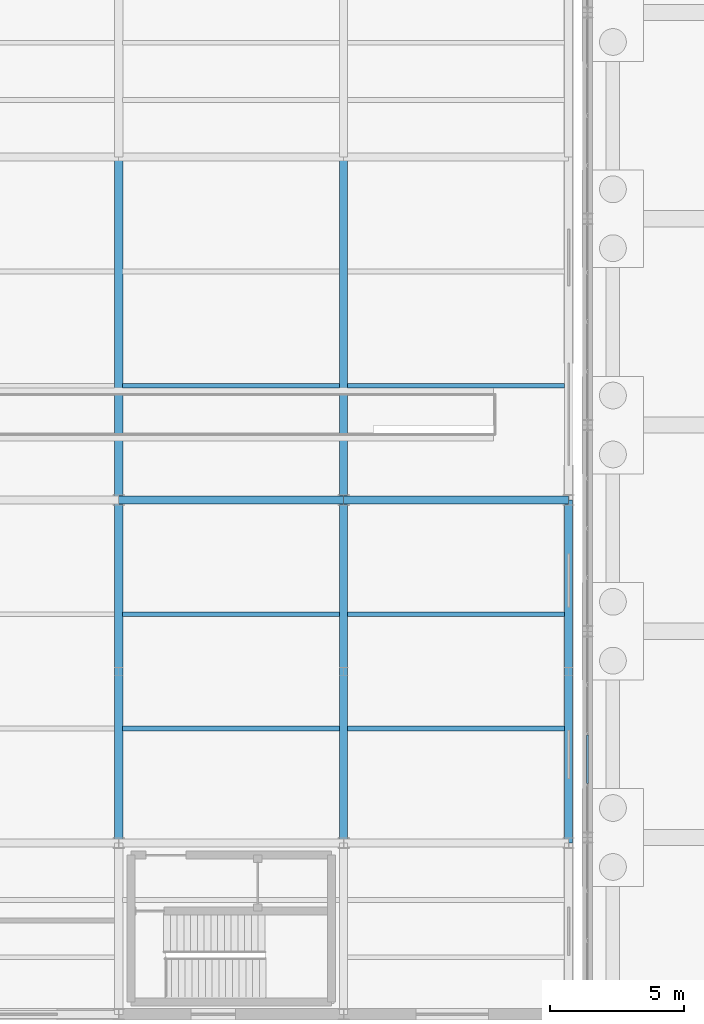
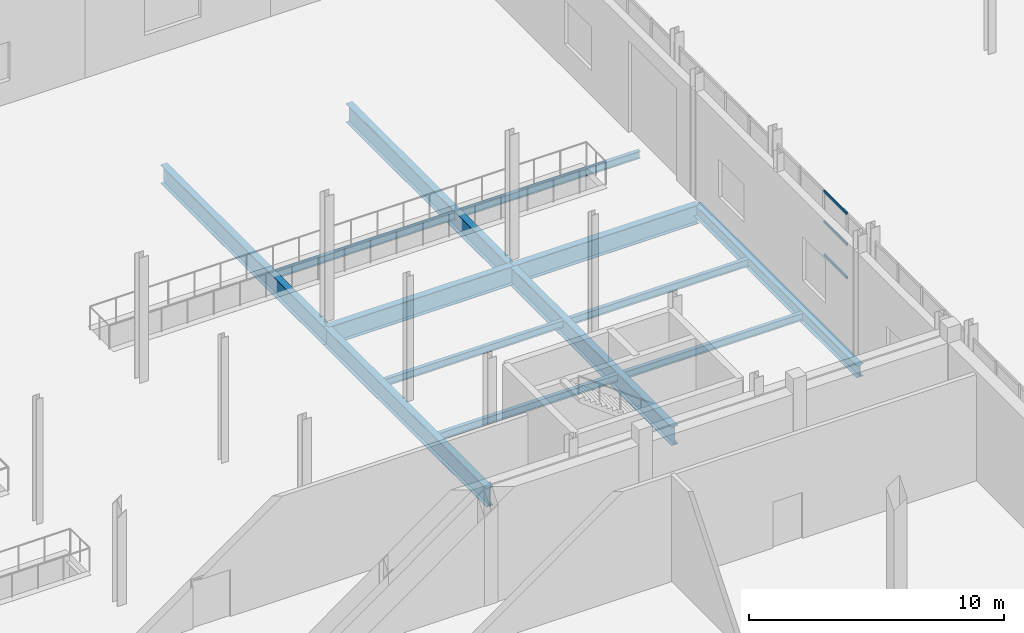
# One storey, part 76 of 139: 13 beams, 3 members, 1 element without a shape of its own.
"""IFC4 building model written with IfcOpenShell, lengths in metres."""

from ifc_helpers import new_model, si_unit, direction, frame, origin, origin_2d, place, context, subcontext, project, spatial, hollow_rectangle, i_section, extrude, material, material_profile, profile_set, type_object, element, aggregate, save


model = new_model("IFC4")

# Units and contexts
model_context = context("Model", 3, precision=1e-05, world=origin(), true_north=direction((0.0, 1.0)))
body_context = subcontext(model_context, "Body", "Model", "MODEL_VIEW")
ifc_project = project(units=[si_unit("LENGTHUNIT", "METRE"), si_unit("AREAUNIT", "SQUARE_METRE"), si_unit("VOLUMEUNIT", "CUBIC_METRE"), si_unit("PLANEANGLEUNIT", "RADIAN"), si_unit("MASSUNIT", "GRAM", prefix="KILO")], contexts=[model_context])

# Site, building, storey
site_placement = place(None, origin())
site = spatial("IfcSite", under=ifc_project, at=site_placement, CompositionType="ELEMENT")
building_placement = place(site_placement, origin())
building = spatial("IfcBuilding", under=site, at=building_placement, Name="Kazenagashi Tramway Depot", CompositionType="ELEMENT")
storey_placement = place(building_placement, origin())
storey = spatial("IfcBuildingStorey", under=building, at=storey_placement, Name="L01", CompositionType="ELEMENT", Elevation=0.0)

# Beams
ifc_material_1 = material(Name="Steel SN490B", Category="steel")
ifc_material_profile_1 = material_profile(ifc_material_1, i_section(OverallWidth=0.3, OverallDepth=0.9, WebThickness=0.016, FlangeThickness=0.028, at=origin_2d()), Name="H-900x300x16x28")
ifc_profile_set_1 = profile_set([ifc_material_profile_1], Name="Steel SN490B")
beam_type_1 = type_object("IfcBeamType", Name="G-01", PredefinedType="BEAM", material=ifc_profile_set_1)
for number, where, z_axis, x_axis, name in (
    (1, (128.8, 35.7, -0.8), (1.0, 0.0, 0.0), (0.0, 1.0, 0.0), "Beam G-01 BM-0775"),
    (2, (137.2, 35.7, -0.8), (1.0, 0.0, 0.0), (0.0, 1.0, 0.0), "Beam G-01 BM-0776"),
):
    element("IfcBeam", number, at=place(storey_placement, frame(where, z_axis=z_axis, x_axis=x_axis)), inside=storey, type_object=beam_type_1, Name=name, PredefinedType="BEAM", context=body_context, shape_type="SweptSolid", body=[
        extrude(i_section(OverallWidth=0.3, OverallDepth=0.9, WebThickness=0.016, FlangeThickness=0.028, at=origin_2d()), origin(), (0.0, 0.0, 1.0), 8.4),
    ])
for number, where, z_axis, x_axis, name in (
    (3, (128.8, 22.9, -0.8), (0.0, 1.0, 0.0), (-1.0, 0.0, 0.0), "Beam G-01 BM-0921"),
    (4, (128.8, 35.7, -0.8), (0.0, 1.0, 0.0), (-1.0, 0.0, 0.0), "Beam G-01 BM-0924"),
    (5, (137.2, 22.9, -0.8), (0.0, 1.0, 0.0), (-1.0, 0.0, 0.0), "Beam G-01 BM-0933"),
    (6, (137.2, 35.7, -0.8), (0.0, 1.0, 0.0), (-1.0, 0.0, 0.0), "Beam G-01 BM-0936"),
):
    element("IfcBeam", number, at=place(storey_placement, frame(where, z_axis=z_axis, x_axis=x_axis)), inside=storey, type_object=beam_type_1, Name=name, PredefinedType="BEAM", context=body_context, shape_type="SweptSolid", body=[
        extrude(i_section(OverallWidth=0.3, OverallDepth=0.9, WebThickness=0.016, FlangeThickness=0.028, at=origin_2d()), origin(), (0.0, 0.0, 1.0), 12.8),
    ])
ifc_material_2 = material(Name="Steel SN400B", Category="steel")
ifc_material_profile_2 = material_profile(ifc_material_2, i_section(OverallWidth=0.175, OverallDepth=0.35, WebThickness=0.007, FlangeThickness=0.011, at=origin_2d()), Name="H-350x175x7x11")
ifc_profile_set_2 = profile_set([ifc_material_profile_2], Name="Steel SN400B")
beam_type_2 = type_object("IfcBeamType", Name="J-01", PredefinedType="JOIST", material=ifc_profile_set_2)
for number, where, z_axis, x_axis, name in (
    (7, (128.95, 27.167, -0.525), (1.0, 0.0, 0.0), (0.0, 1.0, 0.0), "Beam J-01 BM-0922"),
    (8, (128.95, 31.433, -0.525), (1.0, 0.0, 0.0), (0.0, 1.0, 0.0), "Beam J-01 BM-0923"),
    (9, (128.95, 39.967, -0.525), (1.0, 0.0, 0.0), (0.0, 1.0, 0.0), "Beam J-01 BM-0925"),
    (10, (137.35, 27.167, -0.525), (1.0, 0.0, 0.0), (0.0, 1.0, 0.0), "Beam J-01 BM-0934"),
    (11, (137.35, 31.433, -0.525), (1.0, 0.0, 0.0), (0.0, 1.0, 0.0), "Beam J-01 BM-0935"),
    (12, (137.35, 39.967, -0.525), (1.0, 0.0, 0.0), (0.0, 1.0, 0.0), "Beam J-01 BM-0937"),
):
    element("IfcBeam", number, at=place(storey_placement, frame(where, z_axis=z_axis, x_axis=x_axis)), inside=storey, type_object=beam_type_2, Name=name, PredefinedType="JOIST", context=body_context, shape_type="SweptSolid", body=[
        extrude(i_section(OverallWidth=0.175, OverallDepth=0.35, WebThickness=0.007, FlangeThickness=0.011, at=origin_2d()), origin(), (0.0, 0.0, 1.0), 8.1),
    ])
ifc_material_profile_3 = material_profile(ifc_material_1, i_section(OverallWidth=0.3, OverallDepth=0.588, WebThickness=0.012, FlangeThickness=0.02, at=origin_2d()), Name="H-588x300x12x20")
ifc_profile_set_3 = profile_set([ifc_material_profile_3], Name="Steel SN490B")
beam_type_3 = type_object("IfcBeamType", Name="SP-01", PredefinedType="SPANDREL", material=ifc_profile_set_3)
beam_placement = place(storey_placement, frame((145.6, 22.9, -0.644), z_axis=(0.0, 1.0, 0.0), x_axis=(-1.0, 0.0, 0.0)))
element("IfcBeam", 13, at=beam_placement, inside=storey, type_object=beam_type_3, Name="Beam SP-01 BM-0943", PredefinedType="SPANDREL", context=body_context, shape_type="SweptSolid", body=[
    extrude(i_section(OverallWidth=0.3, OverallDepth=0.588, WebThickness=0.012, FlangeThickness=0.02, at=origin_2d()), origin(), (0.0, 0.0, 1.0), 12.8),
])

# Curtain wall, members
ifc_material_3 = material(Name="Anodised Aluminium and Low-E Glazing", Category="aluminium")
curtain_wall_type = type_object("IfcCurtainWallType", Name="CW-30", PredefinedType="USERDEFINED", material=ifc_material_3)
curtain_wall_placement = place(storey_placement, origin())
curtain_wall = element("IfcCurtainWall", 14, at=curtain_wall_placement, inside=storey, type_object=curtain_wall_type, Name="Industrial Glazed Screen CW-30 CW-0162", ObjectType="GLAZED SCREEN", PredefinedType="USERDEFINED")
ifc_material_4 = material(Name="Anodised Aluminium", Category="aluminium")
ifc_material_profile_4 = material_profile(ifc_material_4, hollow_rectangle(XDim=0.06, YDim=0.12, WallThickness=0.004, at=origin_2d()), Name="RHS-120x60x4")
ifc_profile_set_4 = profile_set([ifc_material_profile_4], Name="Anodised Aluminium")
member_type = type_object("IfcMemberType", Name="TR-01", PredefinedType="USERDEFINED", material=ifc_profile_set_4)
member_1_placement = place(storey_placement, frame((146.3, 25.125, 2.23), z_axis=(0.0, 1.0, 0.0), x_axis=(-1.0, 0.0, 0.0)))
member_1 = element("IfcMember", 15, at=member_1_placement, type_object=member_type, Name="CW-30 transom 2.1", ObjectType="TRANSOM", PredefinedType="USERDEFINED", context=body_context, shape_type="SweptSolid", body=[
    extrude(hollow_rectangle(XDim=0.06, YDim=0.12, WallThickness=0.004, at=origin_2d()), origin(), (0.0, 0.0, 1.0), 1.795),
])
member_2_placement = place(storey_placement, frame((146.3, 25.125, 3.822), z_axis=(0.0, 1.0, 0.0), x_axis=(-1.0, 0.0, 0.0)))
member_2 = element("IfcMember", 16, at=member_2_placement, type_object=member_type, Name="CW-30 transom 2.2", ObjectType="TRANSOM", PredefinedType="USERDEFINED", context=body_context, shape_type="SweptSolid", body=[
    extrude(hollow_rectangle(XDim=0.06, YDim=0.12, WallThickness=0.004, at=origin_2d()), origin(), (0.0, 0.0, 1.0), 1.795),
])
member_3_placement = place(storey_placement, frame((146.3, 25.125, 5.29), z_axis=(0.0, 1.0, 0.0), x_axis=(-1.0, 0.0, 0.0)))
member_3 = element("IfcMember", 17, at=member_3_placement, type_object=member_type, Name="CW-30 transom 2.3", ObjectType="TRANSOM", PredefinedType="USERDEFINED", context=body_context, shape_type="SweptSolid", body=[
    extrude(hollow_rectangle(XDim=0.06, YDim=0.12, WallThickness=0.004, at=origin_2d()), origin(), (0.0, 0.0, 1.0), 1.795),
])
aggregate(curtain_wall, [member_1, member_2, member_3])

save(model, "model.ifc")
